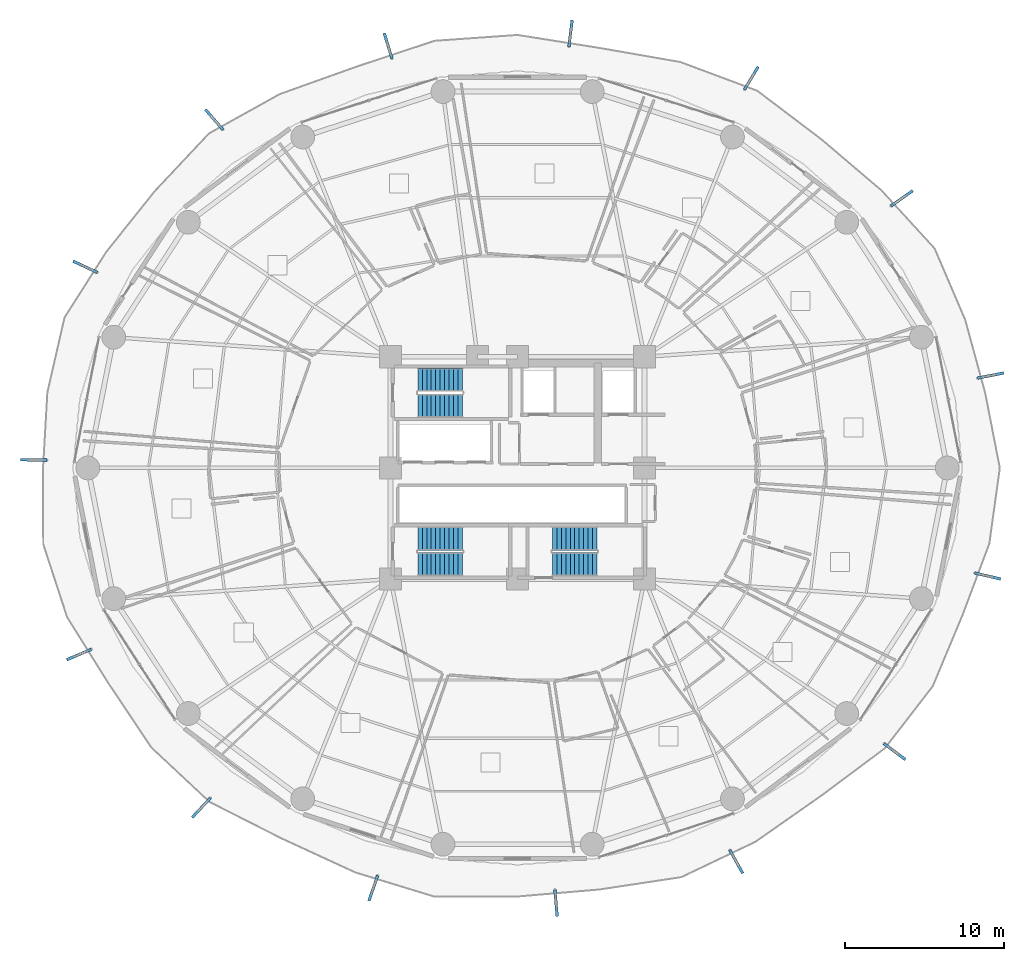
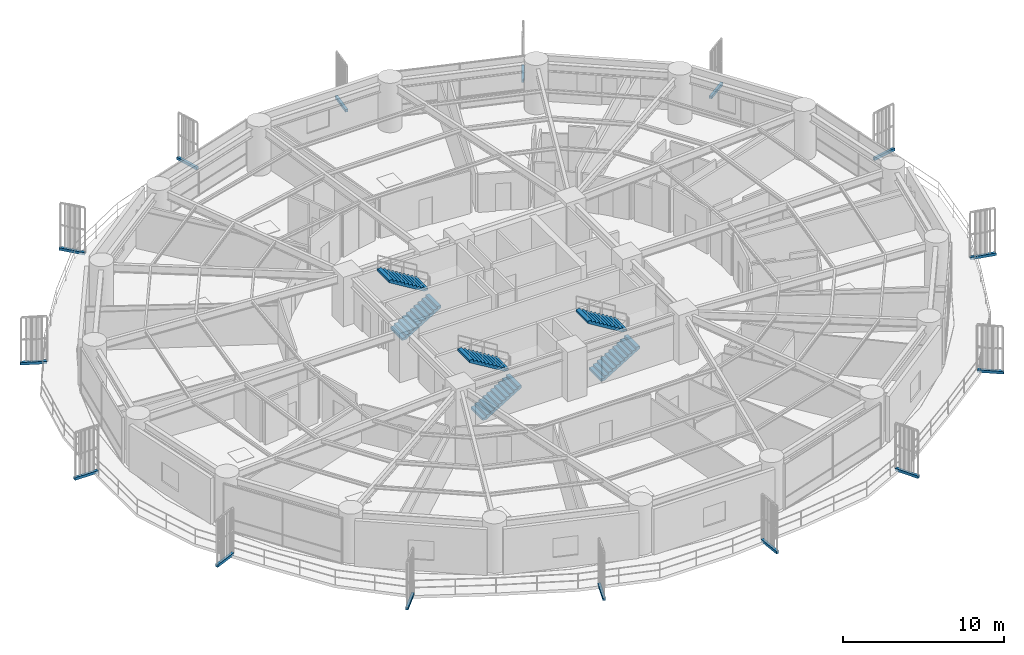
# One storey, part 26 of 31: 15 discrete accessories, 6 stair flights, 3 elements without a shape of their own.
"""IFC4 building model written with IfcOpenShell, lengths in metres."""

from ifc_helpers import new_model, si_unit, direction, frame, origin, origin_2d, place, context, subcontext, project, spatial, polyline, rectangle, outline, extrude, source, transform, mapped, material, type_object, element, aggregate, save


model = new_model("IFC4")

# Units and contexts
model_context = context("Model", 3, precision=1e-05, world=origin(), true_north=direction((0.0, 1.0)))
body_context = subcontext(model_context, "Body", "Model", "MODEL_VIEW")
ifc_project = project(units=[si_unit("LENGTHUNIT", "METRE"), si_unit("AREAUNIT", "SQUARE_METRE"), si_unit("VOLUMEUNIT", "CUBIC_METRE"), si_unit("PLANEANGLEUNIT", "RADIAN"), si_unit("MASSUNIT", "GRAM", prefix="KILO")], contexts=[model_context])

# Site, building, storey
site_placement = place(None, origin())
site = spatial("IfcSite", under=ifc_project, at=site_placement, CompositionType="ELEMENT")
building_placement = place(site_placement, origin())
building = spatial("IfcBuilding", under=site, at=building_placement, Name="Kelanora Arch Commons", CompositionType="ELEMENT")
storey_placement = place(building_placement, frame((0.0, 0.0, 63.75)))
storey = spatial("IfcBuildingStorey", under=building, at=storey_placement, Name="L16", CompositionType="ELEMENT", Elevation=63.75)

# Stair, stair flights
ifc_material_1 = material(Name="Concrete C40/50", Category="concrete")
stair_type = type_object("IfcStairType", Name="STR-DL-375", PredefinedType="HALF_TURN_STAIR", material=ifc_material_1)
stair_1_placement = place(storey_placement, origin())
stair_1 = element("IfcStair", 1, at=stair_1_placement, inside=storey, type_object=stair_type, Name="L16 ST-T1", PredefinedType="HALF_TURN_STAIR")
stair_flight_type = type_object("IfcStairFlightType", Name="FLT-DL-375", PredefinedType="STRAIGHT", material=ifc_material_1)
stair_flight_1_placement = place(storey_placement, frame((67.719970703125, 61.919921875, 0.0), z_axis=(0.0, 0.0, 1.0), x_axis=(1.0, 0.0, 0.0)))
stair_flight_1 = element("IfcStairFlight", 2, at=stair_flight_1_placement, type_object=stair_flight_type, Name="ST-T1 flight 1", NumberOfRisers=11, NumberOfTreads=10, PredefinedType="STRAIGHT", RiserHeight=0.170454545, TreadLength=0.28, context=body_context, shape_type="SweptSolid", body=[
    extrude(outline(polyline([(0.0, 0.0), (0.0, 0.17041015625), (0.280029296875, 0.17041015625), (0.280029296875, 0.3408203125), (0.56005859375, 0.3408203125), (0.56005859375, 0.511474609375), (0.840087890625, 0.511474609375), (0.840087890625, 0.681884765625), (1.1201171875, 0.681884765625), (1.1201171875, 0.852294921875), (1.39990234375, 0.852294921875), (1.39990234375, 1.022705078125), (1.679931640625, 1.022705078125), (1.679931640625, 1.193115234375), (1.9599609375, 1.193115234375), (1.9599609375, 1.363525390625), (2.239990234375, 1.363525390625), (2.239990234375, 1.5341796875), (2.52001953125, 1.5341796875), (2.52001953125, 1.70458984375), (2.800048828125, 1.70458984375), (2.800048828125, 1.875), (2.800048828125, 1.529052734375), (0.288330078125, 0.0), (0.0, 0.0)])), frame((0.0, 0.739990234375, 0.0), z_axis=(0.0, -1.0, 0.0), x_axis=(1.0, 0.0, 0.0)), (0.0, 0.0, 1.0), 1.47998046875),
])
stair_flight_2_placement = place(storey_placement, frame((70.52001953125, 63.550048828125, 1.875), z_axis=(0.0, 0.0, 1.0), x_axis=(-1.0, 0.0, 0.0)))
stair_flight_2 = element("IfcStairFlight", 3, at=stair_flight_2_placement, type_object=stair_flight_type, Name="ST-T1 flight 2", NumberOfRisers=11, NumberOfTreads=10, PredefinedType="STRAIGHT", RiserHeight=0.170454545, TreadLength=0.28, context=body_context, shape_type="SweptSolid", body=[
    extrude(outline(polyline([(0.0, 0.0), (0.0, 0.17041015625), (0.280029296875, 0.17041015625), (0.280029296875, 0.3408203125), (0.56005859375, 0.3408203125), (0.56005859375, 0.511474609375), (0.840087890625, 0.511474609375), (0.840087890625, 0.681884765625), (1.1201171875, 0.681884765625), (1.1201171875, 0.852294921875), (1.39990234375, 0.852294921875), (1.39990234375, 1.022705078125), (1.679931640625, 1.022705078125), (1.679931640625, 1.193115234375), (1.9599609375, 1.193115234375), (1.9599609375, 1.363525390625), (2.239990234375, 1.363525390625), (2.239990234375, 1.5341796875), (2.52001953125, 1.5341796875), (2.52001953125, 1.70458984375), (2.800048828125, 1.70458984375), (2.800048828125, 1.875), (2.800048828125, 1.529052734375), (0.288330078125, 0.0), (0.0, 0.0)])), frame((0.0, 0.739990234375, 0.0), z_axis=(0.0, -1.0, 0.0), x_axis=(1.0, 0.0, 0.0)), (0.0, 0.0, 1.0), 1.47998046875),
])
aggregate(stair_1, [stair_flight_1, stair_flight_2])

stair_2_placement = place(storey_placement, origin())
stair_2 = element("IfcStair", 4, at=stair_2_placement, inside=storey, type_object=stair_type, Name="L16 ST-T2", PredefinedType="HALF_TURN_STAIR")
stair_flight_3_placement = place(storey_placement, frame((76.199951171875, 51.919921875, 0.0), z_axis=(0.0, 0.0, 1.0), x_axis=(1.0, 0.0, 0.0)))
stair_flight_3 = element("IfcStairFlight", 5, at=stair_flight_3_placement, type_object=stair_flight_type, Name="ST-T2 flight 1", NumberOfRisers=11, NumberOfTreads=10, PredefinedType="STRAIGHT", RiserHeight=0.170454545, TreadLength=0.28, context=body_context, shape_type="SweptSolid", body=[
    extrude(outline(polyline([(0.0, 0.0), (0.0, 0.17041015625), (0.280029296875, 0.17041015625), (0.280029296875, 0.3408203125), (0.56005859375, 0.3408203125), (0.56005859375, 0.511474609375), (0.840087890625, 0.511474609375), (0.840087890625, 0.681884765625), (1.1201171875, 0.681884765625), (1.1201171875, 0.852294921875), (1.39990234375, 0.852294921875), (1.39990234375, 1.022705078125), (1.679931640625, 1.022705078125), (1.679931640625, 1.193115234375), (1.9599609375, 1.193115234375), (1.9599609375, 1.363525390625), (2.239990234375, 1.363525390625), (2.239990234375, 1.5341796875), (2.52001953125, 1.5341796875), (2.52001953125, 1.70458984375), (2.800048828125, 1.70458984375), (2.800048828125, 1.875), (2.800048828125, 1.529052734375), (0.288330078125, 0.0), (0.0, 0.0)])), frame((0.0, 0.739990234375, 0.0), z_axis=(0.0, -1.0, 0.0), x_axis=(1.0, 0.0, 0.0)), (0.0, 0.0, 1.0), 1.47998046875),
])
stair_flight_4_placement = place(storey_placement, frame((79.0, 53.550048828125, 1.875), z_axis=(0.0, 0.0, 1.0), x_axis=(-1.0, 0.0, 0.0)))
stair_flight_4 = element("IfcStairFlight", 6, at=stair_flight_4_placement, type_object=stair_flight_type, Name="ST-T2 flight 2", NumberOfRisers=11, NumberOfTreads=10, PredefinedType="STRAIGHT", RiserHeight=0.170454545, TreadLength=0.28, context=body_context, shape_type="SweptSolid", body=[
    extrude(outline(polyline([(0.0, 0.0), (0.0, 0.17041015625), (0.280029296875, 0.17041015625), (0.280029296875, 0.3408203125), (0.56005859375, 0.3408203125), (0.56005859375, 0.511474609375), (0.840087890625, 0.511474609375), (0.840087890625, 0.681884765625), (1.1201171875, 0.681884765625), (1.1201171875, 0.852294921875), (1.39990234375, 0.852294921875), (1.39990234375, 1.022705078125), (1.679931640625, 1.022705078125), (1.679931640625, 1.193115234375), (1.9599609375, 1.193115234375), (1.9599609375, 1.363525390625), (2.239990234375, 1.363525390625), (2.239990234375, 1.5341796875), (2.52001953125, 1.5341796875), (2.52001953125, 1.70458984375), (2.800048828125, 1.70458984375), (2.800048828125, 1.875), (2.800048828125, 1.529052734375), (0.288330078125, 0.0), (0.0, 0.0)])), frame((0.0, 0.739990234375, 0.0), z_axis=(0.0, -1.0, 0.0), x_axis=(1.0, 0.0, 0.0)), (0.0, 0.0, 1.0), 1.47998046875),
])
aggregate(stair_2, [stair_flight_3, stair_flight_4])

stair_3_placement = place(storey_placement, origin())
stair_3 = element("IfcStair", 7, at=stair_3_placement, inside=storey, type_object=stair_type, Name="L16 ST-T3", PredefinedType="HALF_TURN_STAIR")
stair_flight_5_placement = place(storey_placement, frame((67.719970703125, 51.919921875, 0.0), z_axis=(0.0, 0.0, 1.0), x_axis=(1.0, 0.0, 0.0)))
stair_flight_5 = element("IfcStairFlight", 8, at=stair_flight_5_placement, type_object=stair_flight_type, Name="ST-T3 flight 1", NumberOfRisers=11, NumberOfTreads=10, PredefinedType="STRAIGHT", RiserHeight=0.170454545, TreadLength=0.28, context=body_context, shape_type="SweptSolid", body=[
    extrude(outline(polyline([(0.0, 0.0), (0.0, 0.17041015625), (0.280029296875, 0.17041015625), (0.280029296875, 0.3408203125), (0.56005859375, 0.3408203125), (0.56005859375, 0.511474609375), (0.840087890625, 0.511474609375), (0.840087890625, 0.681884765625), (1.1201171875, 0.681884765625), (1.1201171875, 0.852294921875), (1.39990234375, 0.852294921875), (1.39990234375, 1.022705078125), (1.679931640625, 1.022705078125), (1.679931640625, 1.193115234375), (1.9599609375, 1.193115234375), (1.9599609375, 1.363525390625), (2.239990234375, 1.363525390625), (2.239990234375, 1.5341796875), (2.52001953125, 1.5341796875), (2.52001953125, 1.70458984375), (2.800048828125, 1.70458984375), (2.800048828125, 1.875), (2.800048828125, 1.529052734375), (0.288330078125, 0.0), (0.0, 0.0)])), frame((0.0, 0.739990234375, 0.0), z_axis=(0.0, -1.0, 0.0), x_axis=(1.0, 0.0, 0.0)), (0.0, 0.0, 1.0), 1.47998046875),
])
stair_flight_6_placement = place(storey_placement, frame((70.52001953125, 53.550048828125, 1.875), z_axis=(0.0, 0.0, 1.0), x_axis=(-1.0, 0.0, 0.0)))
stair_flight_6 = element("IfcStairFlight", 9, at=stair_flight_6_placement, type_object=stair_flight_type, Name="ST-T3 flight 2", NumberOfRisers=11, NumberOfTreads=10, PredefinedType="STRAIGHT", RiserHeight=0.170454545, TreadLength=0.28, context=body_context, shape_type="SweptSolid", body=[
    extrude(outline(polyline([(0.0, 0.0), (0.0, 0.17041015625), (0.280029296875, 0.17041015625), (0.280029296875, 0.3408203125), (0.56005859375, 0.3408203125), (0.56005859375, 0.511474609375), (0.840087890625, 0.511474609375), (0.840087890625, 0.681884765625), (1.1201171875, 0.681884765625), (1.1201171875, 0.852294921875), (1.39990234375, 0.852294921875), (1.39990234375, 1.022705078125), (1.679931640625, 1.022705078125), (1.679931640625, 1.193115234375), (1.9599609375, 1.193115234375), (1.9599609375, 1.363525390625), (2.239990234375, 1.363525390625), (2.239990234375, 1.5341796875), (2.52001953125, 1.5341796875), (2.52001953125, 1.70458984375), (2.800048828125, 1.70458984375), (2.800048828125, 1.875), (2.800048828125, 1.529052734375), (0.288330078125, 0.0), (0.0, 0.0)])), frame((0.0, 0.739990234375, 0.0), z_axis=(0.0, -1.0, 0.0), x_axis=(1.0, 0.0, 0.0)), (0.0, 0.0, 1.0), 1.47998046875),
])
aggregate(stair_3, [stair_flight_5, stair_flight_6])

# Discrete accessories
ifc_material_2 = material(Name="Stainless steel 316 marine fin bracket", Category="steel")
discrete_accessory_type = type_object("IfcDiscreteAccessoryType", Name="ACC-FIN-BRK", PredefinedType="BRACKET", material=ifc_material_2)
shared_shape = source(origin(), body_context, "Body", "SweptSolid", [
    extrude(rectangle(XDim=1.677490234375, YDim=0.179931640625, at=origin_2d()), origin(), (0.0, 0.0, 1.0), 0.199951171875),
])
for number, where, z_axis, x_axis, name in (
    (10, (98.218505859375, 74.99072265625, -0.16015625), (0.0, 0.0, 1.0), (0.818651192576, 0.574291062871, 0.0), "Sweeping Fin Cantilever Spine Bracket L16-00"),
    (11, (88.72802734375, 82.56201171875, -0.16015625), (0.0, 0.0, 1.0), (0.514289859311, 0.857616429769, 0.0), "Sweeping Fin Cantilever Spine Bracket L16-01"),
    (12, (77.337158203125, 85.38330078125, -0.16015625), (0.0, 0.0, 1.0), (0.121003137194, 0.992652124759, 0.0), "Sweeping Fin Cantilever Spine Bracket L16-02"),
    (13, (65.841552734375, 84.598388671875, -0.16015625), (0.0, 0.0, 1.0), (-0.293206126622, 0.956049249417, 0.0), "Sweeping Fin Cantilever Spine Bracket L16-03"),
    (14, (54.880615234375, 79.9541015625, -0.16015625), (0.0, 0.0, 1.0), (-0.656717387452, 0.754136773416, 0.0), "Sweeping Fin Cantilever Spine Bracket L16-04"),
    (15, (46.756103515625, 70.673828125, -0.16015625), (0.0, 0.0, 1.0), (-0.906676245901, 0.421827198174, 0.0), "Sweeping Fin Cantilever Spine Bracket L16-05"),
    (16, (43.504638671875, 58.504638671875, -0.16015625), (0.0, 0.0, 1.0), (-0.999862544538, 0.016579868188, 0.0), "Sweeping Fin Cantilever Spine Bracket L16-06"),
    (17, (46.365966796875, 46.240478515625, -0.16015625), (0.0, 0.0, 1.0), (-0.920163525759, -0.391534271632, 0.0), "Sweeping Fin Cantilever Spine Bracket L16-07"),
    (18, (54.07275390625, 36.591796875, -0.16015625), (0.0, 0.0, 1.0), (-0.681359873953, -0.731948578909, 0.0), "Sweeping Fin Cantilever Spine Bracket L16-08"),
    (19, (64.908447265625, 31.518310546875, -0.16015625), (0.0, 0.0, 1.0), (-0.324742909981, -0.945802327348, 0.0), "Sweeping Fin Cantilever Spine Bracket L16-09"),
    (20, (76.424072265625, 30.579833984375, -0.16015625), (0.0, 0.0, 1.0), (0.088025053325, -0.996118261045, 0.0), "Sweeping Fin Cantilever Spine Bracket L16-10"),
    (21, (87.78515625, 33.18408203125, -0.16015625), (0.0, 0.0, 1.0), (0.485572685227, -0.874196297957, 0.0), "Sweeping Fin Cantilever Spine Bracket L16-11"),
    (22, (97.76416015625, 40.126220703125, -0.16015625), (0.0, 0.0, 1.0), (0.799160388565, -0.601117853128, 0.0), "Sweeping Fin Cantilever Spine Bracket L16-12"),
    (23, (103.617919921875, 51.1904296875, -0.16015625), (0.0, 0.0, 1.0), (0.974566000575, -0.224100670509, 0.0), "Sweeping Fin Cantilever Spine Bracket L16-13"),
    (24, (103.808349609375, 63.822265625, -0.16015625), (0.0, 0.0, 1.0), (0.981460297432, 0.191665553932, 0.0), "Sweeping Fin Cantilever Spine Bracket L16-14"),
):
    element("IfcDiscreteAccessory", number, at=place(storey_placement, frame(where, z_axis=z_axis, x_axis=x_axis)), inside=storey, type_object=discrete_accessory_type, Name=name, PredefinedType="BRACKET", context=body_context, shape_type="MappedRepresentation", body=[
        mapped(shared_shape, transform((0.0, 0.0, 0.0), scale=1.0)),
    ])

save(model, "model.ifc")
